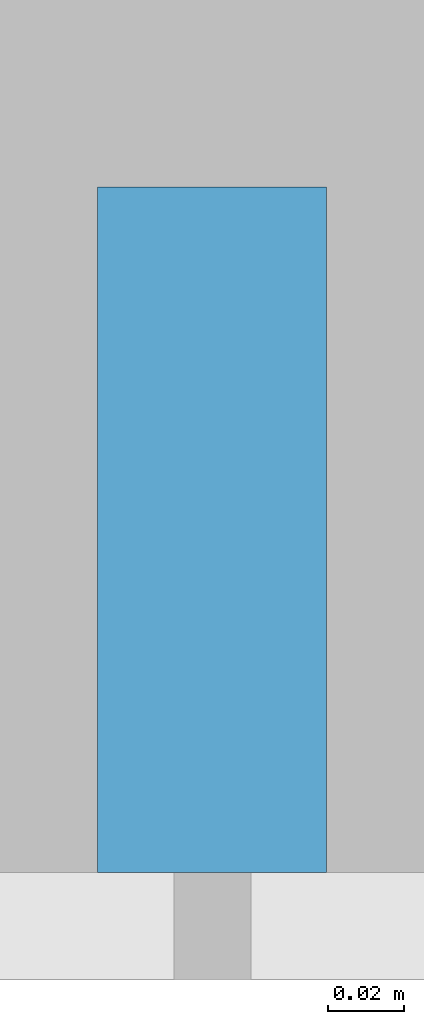
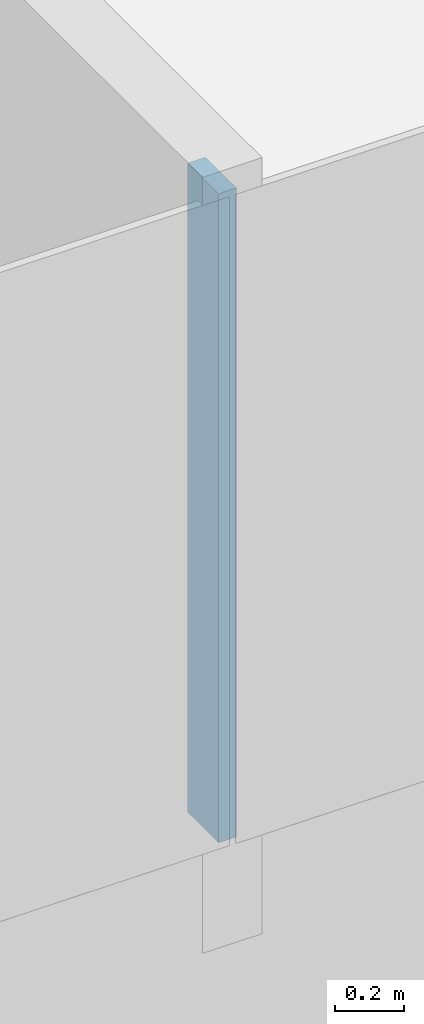
# One storey, part 5 of 25: 1 member, 1 element without a shape of its own.
"""IFC4 building model written with IfcOpenShell, lengths in metres."""

from ifc_helpers import new_model, si_unit, direction, frame, origin, origin_2d, place, context, subcontext, project, spatial, rectangle, extrude, material, layer, layer_set, material_profile, profile_set, type_object, element, aggregate, save


model = new_model("IFC4")

# Units and contexts
model_context = context("Model", 3, precision=1e-05, world=origin(), true_north=direction((0.0, 1.0)))
body_context = subcontext(model_context, "Body", "Model", "MODEL_VIEW")
ifc_project = project(units=[si_unit("LENGTHUNIT", "METRE"), si_unit("AREAUNIT", "SQUARE_METRE"), si_unit("VOLUMEUNIT", "CUBIC_METRE"), si_unit("PLANEANGLEUNIT", "RADIAN"), si_unit("MASSUNIT", "GRAM", prefix="KILO")], contexts=[model_context])

# Site, building, storey
site_placement = place(None, origin())
site = spatial("IfcSite", under=ifc_project, at=site_placement, CompositionType="ELEMENT")
building_placement = place(site_placement, origin())
building = spatial("IfcBuilding", under=site, at=building_placement, Name="Hakoniwa Tower and Hamabe Station Hall", CompositionType="ELEMENT")
storey_placement = place(building_placement, frame((0.0, 0.0, 147.0)))
storey = spatial("IfcBuildingStorey", under=building, at=storey_placement, Name="L41", CompositionType="ELEMENT", Elevation=147.0)

# Curtain wall, member
ifc_material_1 = material(Name="Dark low-e laminated glass", Category="glass")
ifc_layer = layer(ifc_material_1, 0.199951171875)
ifc_layer_set = layer_set([ifc_layer], Name="CW-1 UNITISED GUEST")
curtain_wall_type = type_object("IfcCurtainWallType", Name="CW-1 UNITISED GUEST", PredefinedType="NOTDEFINED", material=ifc_layer_set)
curtain_wall_placement = place(storey_placement, origin())
curtain_wall = element("IfcCurtainWall", 1, at=curtain_wall_placement, inside=storey, type_object=curtain_wall_type, Name="CW-1 curtain wall", PredefinedType="NOTDEFINED")
ifc_material_2 = material(Name="Aluminium 6063-T5 black anodised", Category="aluminium")
ifc_material_profile = material_profile(ifc_material_2, rectangle(XDim=0.06005859375, YDim=0.179931640625, at=origin_2d()), Name="CW-1 MULLION 60X180")
ifc_profile_set = profile_set([ifc_material_profile], Name="Aluminium 6063-T5 black anodised")
member_type = type_object("IfcMemberType", Name="CW-1 MULLION 60X180", PredefinedType="MULLION", material=ifc_profile_set)
member_placement = place(storey_placement, frame((8.39990234375, -19.181884765625, 0.35009765625), z_axis=(0.0, 0.0, 1.0), x_axis=(1.0, 0.0, 0.0)))
member = element("IfcMember", 2, at=member_placement, type_object=member_type, Name="CW-1 mullion", PredefinedType="MULLION", context=body_context, shape_type="SweptSolid", body=[
    extrude(rectangle(XDim=0.06005859375, YDim=0.179931640625, at=origin_2d()), origin(), (0.0, 0.0, 1.0), 2.2998046875),
])
aggregate(curtain_wall, [member])

save(model, "model.ifc")
